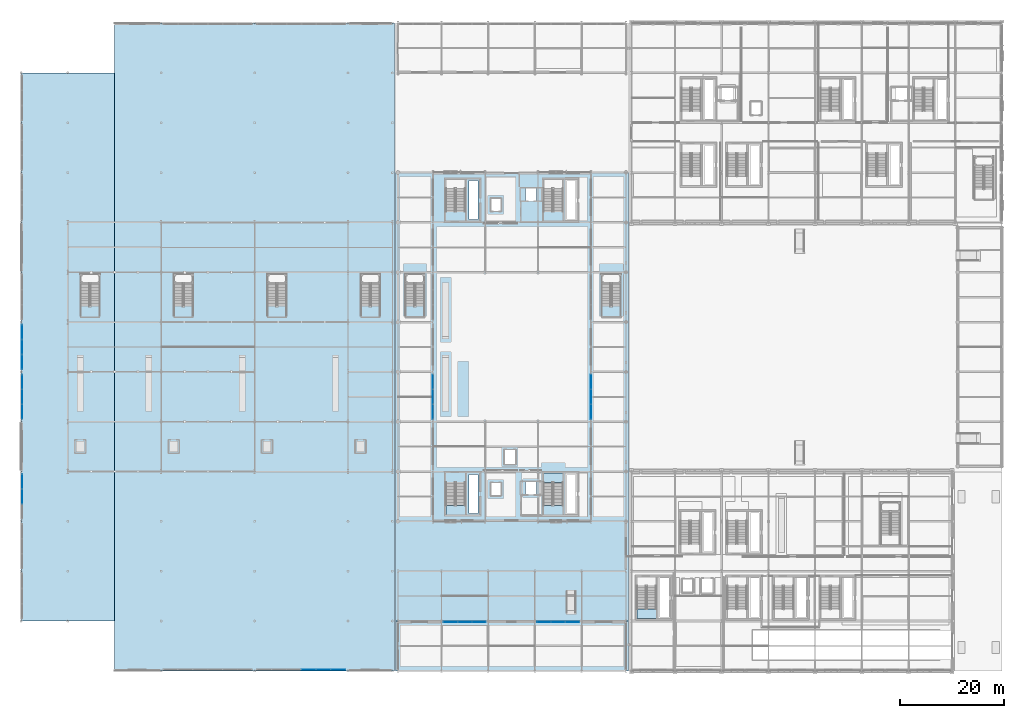
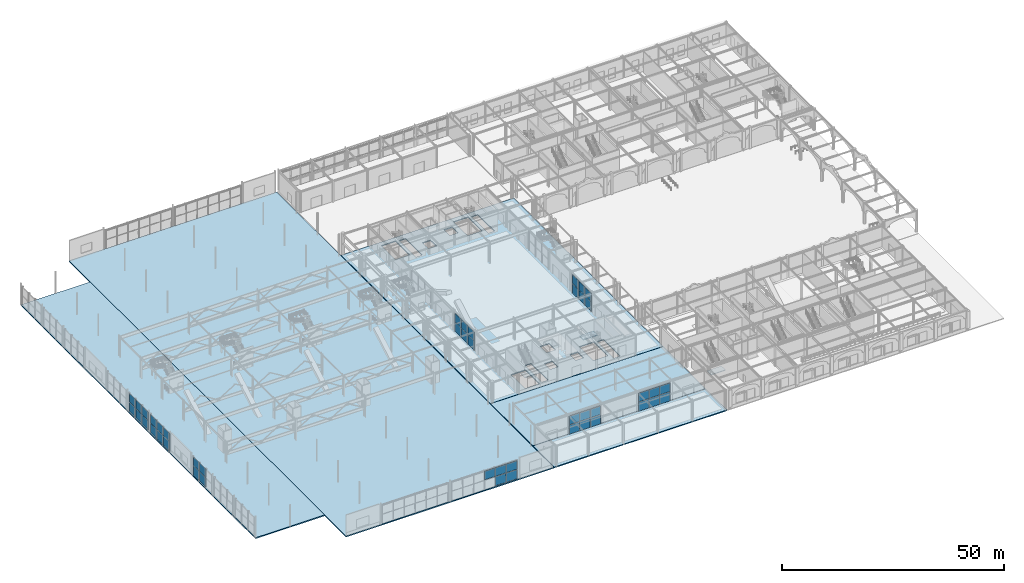
# One storey, part 48 of 113: 45 plates, 8 slabs, 11 elements without a shape of their own.
"""IFC4 building model written with IfcOpenShell, lengths in metres."""

from ifc_helpers import new_model, si_unit, direction, frame, origin, origin_2d, place, context, subcontext, project, spatial, polyline, rectangle, outline, extrude, material, layer, layer_set, type_object, element, aggregate, save


model = new_model("IFC4")

# Units and contexts
model_context = context("Model", 3, precision=1e-05, world=origin(), true_north=direction((0.0, 1.0)))
body_context = subcontext(model_context, "Body", "Model", "MODEL_VIEW")
ifc_project = project(units=[si_unit("LENGTHUNIT", "METRE"), si_unit("AREAUNIT", "SQUARE_METRE"), si_unit("VOLUMEUNIT", "CUBIC_METRE"), si_unit("PLANEANGLEUNIT", "RADIAN"), si_unit("MASSUNIT", "GRAM", prefix="KILO")], contexts=[model_context])

# Site, building, storey
site_placement = place(None, origin())
site = spatial("IfcSite", under=ifc_project, at=site_placement, CompositionType="ELEMENT")
building_placement = place(site_placement, origin())
building = spatial("IfcBuilding", under=site, at=building_placement, Name="Myrtia Square Station", CompositionType="ELEMENT")
storey_placement = place(building_placement, origin())
storey = spatial("IfcBuildingStorey", under=building, at=storey_placement, Name="L00", CompositionType="ELEMENT", Elevation=0.0)

# Curtain wall, plates
ifc_material_1 = material(Name="Dark bronze anodised aluminium", Category="aluminium")
ifc_layer_1 = layer(ifc_material_1, 0.159912109375, Name="Dark bronze anodised aluminium")
ifc_layer_set_1 = layer_set([ifc_layer_1], Name="Dark bronze anodised aluminium")
curtain_wall_type_1 = type_object("IfcCurtainWallType", Name="CW-TYPE-23-855x510", PredefinedType="USERDEFINED", material=ifc_layer_set_1)
curtain_wall_1_placement = place(storey_placement, origin())
curtain_wall_1 = element("IfcCurtainWall", 1, at=curtain_wall_1_placement, inside=storey, type_object=curtain_wall_type_1, Name="Concourse curtain wall CW-L00-088", ObjectType="CONCOURSE CURTAIN WALL", PredefinedType="USERDEFINED")
ifc_material_2 = material(Name="Tinted low-E solar control glass", Category="glass")
ifc_layer_2 = layer(ifc_material_2, 0.02392578125, Name="Tinted low-E solar control glass")
ifc_layer_set_2 = layer_set([ifc_layer_2], Name="Tinted low-E solar control glass")
plate_type_1 = type_object("IfcPlateType", Name="CWP-GLZ-24", PredefinedType="CURTAIN_PANEL", material=ifc_layer_set_2)
plate_1_placement = place(storey_placement, frame((55.43994140625, 0.199951171875, 2.68212890625), z_axis=(0.0, 0.0, 1.0), x_axis=(1.0, 0.0, 0.0)))
plate_1 = element("IfcPlate", 2, at=plate_1_placement, type_object=plate_type_1, Name="CW-088 panel 1.2", PredefinedType="CURTAIN_PANEL", context=body_context, shape_type="SweptSolid", body=[
    extrude(rectangle(XDim=2.760009765625, YDim=0.02392578125, at=origin_2d()), origin(), (0.0, 0.0, 1.0), 2.35791015625),
])
plate_2_placement = place(storey_placement, frame((58.27490234375, 0.199951171875, 0.06005859375), z_axis=(0.0, 0.0, 1.0), x_axis=(1.0, 0.0, 0.0)))
plate_2 = element("IfcPlate", 3, at=plate_2_placement, type_object=plate_type_1, Name="CW-088 panel 2.1", PredefinedType="CURTAIN_PANEL", context=body_context, shape_type="SweptSolid", body=[
    extrude(rectangle(XDim=2.7900390625, YDim=0.02392578125, at=origin_2d()), origin(), (0.0, 0.0, 1.0), 2.56201171875),
])
plate_3_placement = place(storey_placement, frame((58.27490234375, 0.199951171875, 2.68212890625), z_axis=(0.0, 0.0, 1.0), x_axis=(1.0, 0.0, 0.0)))
plate_3 = element("IfcPlate", 4, at=plate_3_placement, type_object=plate_type_1, Name="CW-088 panel 2.2", PredefinedType="CURTAIN_PANEL", context=body_context, shape_type="SweptSolid", body=[
    extrude(rectangle(XDim=2.7900390625, YDim=0.02392578125, at=origin_2d()), origin(), (0.0, 0.0, 1.0), 2.35791015625),
])
plate_4_placement = place(storey_placement, frame((61.110107421875, 0.199951171875, 0.06005859375), z_axis=(0.0, 0.0, 1.0), x_axis=(1.0, 0.0, 0.0)))
plate_4 = element("IfcPlate", 5, at=plate_4_placement, type_object=plate_type_1, Name="CW-088 panel 3.1", PredefinedType="CURTAIN_PANEL", context=body_context, shape_type="SweptSolid", body=[
    extrude(rectangle(XDim=2.760009765625, YDim=0.02392578125, at=origin_2d()), origin(), (0.0, 0.0, 1.0), 2.56201171875),
])
plate_5_placement = place(storey_placement, frame((61.110107421875, 0.199951171875, 2.68212890625), z_axis=(0.0, 0.0, 1.0), x_axis=(1.0, 0.0, 0.0)))
plate_5 = element("IfcPlate", 6, at=plate_5_placement, type_object=plate_type_1, Name="CW-088 panel 3.2", PredefinedType="CURTAIN_PANEL", context=body_context, shape_type="SweptSolid", body=[
    extrude(rectangle(XDim=2.760009765625, YDim=0.02392578125, at=origin_2d()), origin(), (0.0, 0.0, 1.0), 2.35791015625),
])
aggregate(curtain_wall_1, [plate_1, plate_2, plate_3, plate_4, plate_5])

ifc_layer_3 = layer(ifc_material_1, 0.159912109375, Name="Dark bronze anodised aluminium")
ifc_layer_set_3 = layer_set([ifc_layer_3], Name="Dark bronze anodised aluminium")
curtain_wall_type_2 = type_object("IfcCurtainWallType", Name="CW-TYPE-31-826x510", PredefinedType="USERDEFINED", material=ifc_layer_set_3)
curtain_wall_2_placement = place(storey_placement, origin())
curtain_wall_2 = element("IfcCurtainWall", 7, at=curtain_wall_2_placement, inside=storey, type_object=curtain_wall_type_2, Name="Concourse curtain wall CW-L00-104", ObjectType="CONCOURSE CURTAIN WALL", PredefinedType="USERDEFINED")
plate_6_placement = place(storey_placement, frame((82.76171875, 9.39990234375, 0.06005859375), z_axis=(0.0, 0.0, 1.0), x_axis=(1.0, 0.0, 0.0)))
plate_6 = element("IfcPlate", 8, at=plate_6_placement, type_object=plate_type_1, Name="CW-104 panel 1.1", PredefinedType="CURTAIN_PANEL", context=body_context, shape_type="SweptSolid", body=[
    extrude(rectangle(XDim=2.663330078125, YDim=0.02392578125, at=origin_2d()), origin(), (0.0, 0.0, 1.0), 2.56201171875),
])
plate_7_placement = place(storey_placement, frame((82.76171875, 9.39990234375, 2.68212890625), z_axis=(0.0, 0.0, 1.0), x_axis=(1.0, 0.0, 0.0)))
plate_7 = element("IfcPlate", 9, at=plate_7_placement, type_object=plate_type_1, Name="CW-104 panel 1.2", PredefinedType="CURTAIN_PANEL", context=body_context, shape_type="SweptSolid", body=[
    extrude(rectangle(XDim=2.663330078125, YDim=0.02392578125, at=origin_2d()), origin(), (0.0, 0.0, 1.0), 2.35791015625),
])
plate_8_placement = place(storey_placement, frame((85.5, 9.39990234375, 0.06005859375), z_axis=(0.0, 0.0, 1.0), x_axis=(1.0, 0.0, 0.0)))
plate_8 = element("IfcPlate", 10, at=plate_8_placement, type_object=plate_type_1, Name="CW-104 panel 2.1", PredefinedType="CURTAIN_PANEL", context=body_context, shape_type="SweptSolid", body=[
    extrude(rectangle(XDim=2.693359375, YDim=0.02392578125, at=origin_2d()), origin(), (0.0, 0.0, 1.0), 2.56201171875),
])
plate_9_placement = place(storey_placement, frame((85.5, 9.39990234375, 2.68212890625), z_axis=(0.0, 0.0, 1.0), x_axis=(1.0, 0.0, 0.0)))
plate_9 = element("IfcPlate", 11, at=plate_9_placement, type_object=plate_type_1, Name="CW-104 panel 2.2", PredefinedType="CURTAIN_PANEL", context=body_context, shape_type="SweptSolid", body=[
    extrude(rectangle(XDim=2.693359375, YDim=0.02392578125, at=origin_2d()), origin(), (0.0, 0.0, 1.0), 2.35791015625),
])
plate_10_placement = place(storey_placement, frame((88.23828125, 9.39990234375, 0.06005859375), z_axis=(0.0, 0.0, 1.0), x_axis=(1.0, 0.0, 0.0)))
plate_10 = element("IfcPlate", 12, at=plate_10_placement, type_object=plate_type_1, Name="CW-104 panel 3.1", PredefinedType="CURTAIN_PANEL", context=body_context, shape_type="SweptSolid", body=[
    extrude(rectangle(XDim=2.663330078125, YDim=0.02392578125, at=origin_2d()), origin(), (0.0, 0.0, 1.0), 2.56201171875),
])
plate_11_placement = place(storey_placement, frame((88.23828125, 9.39990234375, 2.68212890625), z_axis=(0.0, 0.0, 1.0), x_axis=(1.0, 0.0, 0.0)))
plate_11 = element("IfcPlate", 13, at=plate_11_placement, type_object=plate_type_1, Name="CW-104 panel 3.2", PredefinedType="CURTAIN_PANEL", context=body_context, shape_type="SweptSolid", body=[
    extrude(rectangle(XDim=2.663330078125, YDim=0.02392578125, at=origin_2d()), origin(), (0.0, 0.0, 1.0), 2.35791015625),
])
aggregate(curtain_wall_2, [plate_6, plate_7, plate_8, plate_9, plate_10, plate_11])

ifc_layer_4 = layer(ifc_material_1, 0.159912109375, Name="Dark bronze anodised aluminium")
ifc_layer_set_4 = layer_set([ifc_layer_4], Name="Dark bronze anodised aluminium")
curtain_wall_type_3 = type_object("IfcCurtainWallType", Name="CW-TYPE-01-870x519", PredefinedType="USERDEFINED", material=ifc_layer_set_4)
curtain_wall_3_placement = place(storey_placement, origin())
curtain_wall_3 = element("IfcCurtainWall", 14, at=curtain_wall_3_placement, inside=storey, type_object=curtain_wall_type_3, Name="Concourse curtain wall CW-L00-001", ObjectType="CONCOURSE CURTAIN WALL", PredefinedType="USERDEFINED")
ifc_layer_5 = layer(ifc_material_2, 0.028076171875, Name="Tinted low-E solar control glass")
ifc_layer_set_5 = layer_set([ifc_layer_5], Name="Tinted low-E solar control glass")
plate_type_2 = type_object("IfcPlateType", Name="CWP-GLZ-28", PredefinedType="CURTAIN_PANEL", material=ifc_layer_set_5)
plate_12_placement = place(storey_placement, frame((79.35009765625, 49.9150390625, 0.06005859375), z_axis=(0.0, 0.0, 1.0), x_axis=(0.0, 1.0, 0.0)))
plate_12 = element("IfcPlate", 15, at=plate_12_placement, type_object=plate_type_2, Name="CW-001 panel 1.1", PredefinedType="CURTAIN_PANEL", context=body_context, shape_type="SweptSolid", body=[
    extrude(rectangle(XDim=2.81005859375, YDim=0.028076171875, at=origin_2d()), origin(), (0.0, 0.0, 1.0), 2.60888671875),
])
plate_13_placement = place(storey_placement, frame((79.35009765625, 49.9150390625, 2.72900390625), z_axis=(0.0, 0.0, 1.0), x_axis=(0.0, 1.0, 0.0)))
plate_13 = element("IfcPlate", 16, at=plate_13_placement, type_object=plate_type_2, Name="CW-001 panel 1.2", PredefinedType="CURTAIN_PANEL", context=body_context, shape_type="SweptSolid", body=[
    extrude(rectangle(XDim=2.81005859375, YDim=0.028076171875, at=origin_2d()), origin(), (0.0, 0.0, 1.0), 2.40087890625),
])
plate_14_placement = place(storey_placement, frame((79.35009765625, 52.800048828125, 0.06005859375), z_axis=(0.0, 0.0, 1.0), x_axis=(0.0, 1.0, 0.0)))
plate_14 = element("IfcPlate", 17, at=plate_14_placement, type_object=plate_type_2, Name="CW-001 panel 2.1", PredefinedType="CURTAIN_PANEL", context=body_context, shape_type="SweptSolid", body=[
    extrude(rectangle(XDim=2.840087890625, YDim=0.028076171875, at=origin_2d()), origin(), (0.0, 0.0, 1.0), 2.60888671875),
])
plate_15_placement = place(storey_placement, frame((79.35009765625, 52.800048828125, 2.72900390625), z_axis=(0.0, 0.0, 1.0), x_axis=(0.0, 1.0, 0.0)))
plate_15 = element("IfcPlate", 18, at=plate_15_placement, type_object=plate_type_2, Name="CW-001 panel 2.2", PredefinedType="CURTAIN_PANEL", context=body_context, shape_type="SweptSolid", body=[
    extrude(rectangle(XDim=2.840087890625, YDim=0.028076171875, at=origin_2d()), origin(), (0.0, 0.0, 1.0), 2.40087890625),
])
plate_16_placement = place(storey_placement, frame((79.35009765625, 55.68505859375, 0.06005859375), z_axis=(0.0, 0.0, 1.0), x_axis=(0.0, 1.0, 0.0)))
plate_16 = element("IfcPlate", 19, at=plate_16_placement, type_object=plate_type_2, Name="CW-001 panel 3.1", PredefinedType="CURTAIN_PANEL", context=body_context, shape_type="SweptSolid", body=[
    extrude(rectangle(XDim=2.81005859375, YDim=0.028076171875, at=origin_2d()), origin(), (0.0, 0.0, 1.0), 2.60888671875),
])
plate_17_placement = place(storey_placement, frame((79.35009765625, 55.68505859375, 2.72900390625), z_axis=(0.0, 0.0, 1.0), x_axis=(0.0, 1.0, 0.0)))
plate_17 = element("IfcPlate", 20, at=plate_17_placement, type_object=plate_type_2, Name="CW-001 panel 3.2", PredefinedType="CURTAIN_PANEL", context=body_context, shape_type="SweptSolid", body=[
    extrude(rectangle(XDim=2.81005859375, YDim=0.028076171875, at=origin_2d()), origin(), (0.0, 0.0, 1.0), 2.40087890625),
])
aggregate(curtain_wall_3, [plate_12, plate_13, plate_14, plate_15, plate_16, plate_17])

ifc_layer_6 = layer(ifc_material_1, 0.159912109375, Name="Dark bronze anodised aluminium")
ifc_layer_set_6 = layer_set([ifc_layer_6], Name="Dark bronze anodised aluminium")
curtain_wall_type_4 = type_object("IfcCurtainWallType", Name="CW-TYPE-22-870x510", PredefinedType="USERDEFINED", material=ifc_layer_set_6)
curtain_wall_4_placement = place(storey_placement, origin())
curtain_wall_4 = element("IfcCurtainWall", 21, at=curtain_wall_4_placement, inside=storey, type_object=curtain_wall_type_4, Name="Concourse curtain wall CW-L00-075", ObjectType="CONCOURSE CURTAIN WALL", PredefinedType="USERDEFINED")
plate_18_placement = place(storey_placement, frame((0.199951171875, 33.60009765625, 0.074951171875), z_axis=(0.0, 0.0, 1.0), x_axis=(0.0, 1.0, 0.0)))
plate_18 = element("IfcPlate", 22, at=plate_18_placement, type_object=plate_type_2, Name="CW-075 panel 2.1", PredefinedType="CURTAIN_PANEL", context=body_context, shape_type="SweptSolid", body=[
    extrude(rectangle(XDim=2.824951171875, YDim=0.028076171875, at=origin_2d()), origin(), (0.0, 0.0, 1.0), 2.53955078125),
])
plate_19_placement = place(storey_placement, frame((0.199951171875, 33.60009765625, 2.689453125), z_axis=(0.0, 0.0, 1.0), x_axis=(0.0, 1.0, 0.0)))
plate_19 = element("IfcPlate", 23, at=plate_19_placement, type_object=plate_type_2, Name="CW-075 panel 2.2", PredefinedType="CURTAIN_PANEL", context=body_context, shape_type="SweptSolid", body=[
    extrude(rectangle(XDim=2.824951171875, YDim=0.028076171875, at=origin_2d()), origin(), (0.0, 0.0, 1.0), 2.33544921875),
])
plate_20_placement = place(storey_placement, frame((0.199951171875, 36.481201171875, 0.074951171875), z_axis=(0.0, 0.0, 1.0), x_axis=(0.0, 1.0, 0.0)))
plate_20 = element("IfcPlate", 24, at=plate_20_placement, type_object=plate_type_2, Name="CW-075 panel 3.1", PredefinedType="CURTAIN_PANEL", context=body_context, shape_type="SweptSolid", body=[
    extrude(rectangle(XDim=2.78759765625, YDim=0.028076171875, at=origin_2d()), origin(), (0.0, 0.0, 1.0), 2.53955078125),
])
plate_21_placement = place(storey_placement, frame((0.199951171875, 36.481201171875, 2.689453125), z_axis=(0.0, 0.0, 1.0), x_axis=(0.0, 1.0, 0.0)))
plate_21 = element("IfcPlate", 25, at=plate_21_placement, type_object=plate_type_2, Name="CW-075 panel 3.2", PredefinedType="CURTAIN_PANEL", context=body_context, shape_type="SweptSolid", body=[
    extrude(rectangle(XDim=2.78759765625, YDim=0.028076171875, at=origin_2d()), origin(), (0.0, 0.0, 1.0), 2.33544921875),
])
aggregate(curtain_wall_4, [plate_18, plate_19, plate_20, plate_21])

curtain_wall_5_placement = place(storey_placement, origin())
curtain_wall_5 = element("IfcCurtainWall", 26, at=curtain_wall_5_placement, inside=storey, type_object=curtain_wall_type_2, Name="Concourse curtain wall CW-L00-109", ObjectType="CONCOURSE CURTAIN WALL", PredefinedType="USERDEFINED")
plate_22_placement = place(storey_placement, frame((100.76171875, 9.39990234375, 0.06005859375), z_axis=(0.0, 0.0, 1.0), x_axis=(1.0, 0.0, 0.0)))
plate_22 = element("IfcPlate", 27, at=plate_22_placement, type_object=plate_type_2, Name="CW-109 panel 1.1", PredefinedType="CURTAIN_PANEL", context=body_context, shape_type="SweptSolid", body=[
    extrude(rectangle(XDim=2.663330078125, YDim=0.028076171875, at=origin_2d()), origin(), (0.0, 0.0, 1.0), 2.56201171875),
])
plate_23_placement = place(storey_placement, frame((100.76171875, 9.39990234375, 2.68212890625), z_axis=(0.0, 0.0, 1.0), x_axis=(1.0, 0.0, 0.0)))
plate_23 = element("IfcPlate", 28, at=plate_23_placement, type_object=plate_type_2, Name="CW-109 panel 1.2", PredefinedType="CURTAIN_PANEL", context=body_context, shape_type="SweptSolid", body=[
    extrude(rectangle(XDim=2.663330078125, YDim=0.028076171875, at=origin_2d()), origin(), (0.0, 0.0, 1.0), 2.35791015625),
])
plate_24_placement = place(storey_placement, frame((103.5, 9.39990234375, 0.06005859375), z_axis=(0.0, 0.0, 1.0), x_axis=(1.0, 0.0, 0.0)))
plate_24 = element("IfcPlate", 29, at=plate_24_placement, type_object=plate_type_2, Name="CW-109 panel 2.1", PredefinedType="CURTAIN_PANEL", context=body_context, shape_type="SweptSolid", body=[
    extrude(rectangle(XDim=2.693359375, YDim=0.028076171875, at=origin_2d()), origin(), (0.0, 0.0, 1.0), 2.56201171875),
])
plate_25_placement = place(storey_placement, frame((103.5, 9.39990234375, 2.68212890625), z_axis=(0.0, 0.0, 1.0), x_axis=(1.0, 0.0, 0.0)))
plate_25 = element("IfcPlate", 30, at=plate_25_placement, type_object=plate_type_2, Name="CW-109 panel 2.2", PredefinedType="CURTAIN_PANEL", context=body_context, shape_type="SweptSolid", body=[
    extrude(rectangle(XDim=2.693359375, YDim=0.028076171875, at=origin_2d()), origin(), (0.0, 0.0, 1.0), 2.35791015625),
])
plate_26_placement = place(storey_placement, frame((106.23828125, 9.39990234375, 0.06005859375), z_axis=(0.0, 0.0, 1.0), x_axis=(1.0, 0.0, 0.0)))
plate_26 = element("IfcPlate", 31, at=plate_26_placement, type_object=plate_type_2, Name="CW-109 panel 3.1", PredefinedType="CURTAIN_PANEL", context=body_context, shape_type="SweptSolid", body=[
    extrude(rectangle(XDim=2.663330078125, YDim=0.028076171875, at=origin_2d()), origin(), (0.0, 0.0, 1.0), 2.56201171875),
])
plate_27_placement = place(storey_placement, frame((106.23828125, 9.39990234375, 2.68212890625), z_axis=(0.0, 0.0, 1.0), x_axis=(1.0, 0.0, 0.0)))
plate_27 = element("IfcPlate", 32, at=plate_27_placement, type_object=plate_type_2, Name="CW-109 panel 3.2", PredefinedType="CURTAIN_PANEL", context=body_context, shape_type="SweptSolid", body=[
    extrude(rectangle(XDim=2.663330078125, YDim=0.028076171875, at=origin_2d()), origin(), (0.0, 0.0, 1.0), 2.35791015625),
])
aggregate(curtain_wall_5, [plate_22, plate_23, plate_24, plate_25, plate_26, plate_27])

curtain_wall_6_placement = place(storey_placement, origin())
curtain_wall_6 = element("IfcCurtainWall", 33, at=curtain_wall_6_placement, inside=storey, type_object=curtain_wall_type_4, Name="Concourse curtain wall CW-L00-076", ObjectType="CONCOURSE CURTAIN WALL", PredefinedType="USERDEFINED")
ifc_layer_7 = layer(ifc_material_2, 0.031982421875, Name="Tinted low-E solar control glass")
ifc_layer_set_7 = layer_set([ifc_layer_7], Name="Tinted low-E solar control glass")
plate_type_3 = type_object("IfcPlateType", Name="CWP-GLZ-32", PredefinedType="CURTAIN_PANEL", material=ifc_layer_set_7)
plate_28_placement = place(storey_placement, frame((0.199951171875, 49.918701171875, 0.074951171875), z_axis=(0.0, 0.0, 1.0), x_axis=(0.0, 1.0, 0.0)))
plate_28 = element("IfcPlate", 34, at=plate_28_placement, type_object=plate_type_3, Name="CW-076 panel 1.1", PredefinedType="CURTAIN_PANEL", context=body_context, shape_type="SweptSolid", body=[
    extrude(rectangle(XDim=2.78759765625, YDim=0.031982421875, at=origin_2d()), origin(), (0.0, 0.0, 1.0), 2.53955078125),
])
plate_29_placement = place(storey_placement, frame((0.199951171875, 49.918701171875, 2.689453125), z_axis=(0.0, 0.0, 1.0), x_axis=(0.0, 1.0, 0.0)))
plate_29 = element("IfcPlate", 35, at=plate_29_placement, type_object=plate_type_3, Name="CW-076 panel 1.2", PredefinedType="CURTAIN_PANEL", context=body_context, shape_type="SweptSolid", body=[
    extrude(rectangle(XDim=2.78759765625, YDim=0.031982421875, at=origin_2d()), origin(), (0.0, 0.0, 1.0), 2.33544921875),
])
plate_30_placement = place(storey_placement, frame((0.199951171875, 52.800048828125, 0.074951171875), z_axis=(0.0, 0.0, 1.0), x_axis=(0.0, 1.0, 0.0)))
plate_30 = element("IfcPlate", 36, at=plate_30_placement, type_object=plate_type_3, Name="CW-076 panel 2.1", PredefinedType="CURTAIN_PANEL", context=body_context, shape_type="SweptSolid", body=[
    extrude(rectangle(XDim=2.824951171875, YDim=0.031982421875, at=origin_2d()), origin(), (0.0, 0.0, 1.0), 2.53955078125),
])
plate_31_placement = place(storey_placement, frame((0.199951171875, 52.800048828125, 2.689453125), z_axis=(0.0, 0.0, 1.0), x_axis=(0.0, 1.0, 0.0)))
plate_31 = element("IfcPlate", 37, at=plate_31_placement, type_object=plate_type_3, Name="CW-076 panel 2.2", PredefinedType="CURTAIN_PANEL", context=body_context, shape_type="SweptSolid", body=[
    extrude(rectangle(XDim=2.824951171875, YDim=0.031982421875, at=origin_2d()), origin(), (0.0, 0.0, 1.0), 2.33544921875),
])
plate_32_placement = place(storey_placement, frame((0.199951171875, 55.68115234375, 0.074951171875), z_axis=(0.0, 0.0, 1.0), x_axis=(0.0, 1.0, 0.0)))
plate_32 = element("IfcPlate", 38, at=plate_32_placement, type_object=plate_type_3, Name="CW-076 panel 3.1", PredefinedType="CURTAIN_PANEL", context=body_context, shape_type="SweptSolid", body=[
    extrude(rectangle(XDim=2.78759765625, YDim=0.031982421875, at=origin_2d()), origin(), (0.0, 0.0, 1.0), 2.53955078125),
])
plate_33_placement = place(storey_placement, frame((0.199951171875, 55.68115234375, 2.689453125), z_axis=(0.0, 0.0, 1.0), x_axis=(0.0, 1.0, 0.0)))
plate_33 = element("IfcPlate", 39, at=plate_33_placement, type_object=plate_type_3, Name="CW-076 panel 3.2", PredefinedType="CURTAIN_PANEL", context=body_context, shape_type="SweptSolid", body=[
    extrude(rectangle(XDim=2.78759765625, YDim=0.031982421875, at=origin_2d()), origin(), (0.0, 0.0, 1.0), 2.33544921875),
])
aggregate(curtain_wall_6, [plate_28, plate_29, plate_30, plate_31, plate_32, plate_33])

ifc_layer_8 = layer(ifc_material_1, 0.159912109375, Name="Dark bronze anodised aluminium")
ifc_layer_set_8 = layer_set([ifc_layer_8], Name="Dark bronze anodised aluminium")
curtain_wall_type_5 = type_object("IfcCurtainWallType", Name="CW-TYPE-02-870x519", PredefinedType="USERDEFINED", material=ifc_layer_set_8)
curtain_wall_7_placement = place(storey_placement, origin())
curtain_wall_7 = element("IfcCurtainWall", 40, at=curtain_wall_7_placement, inside=storey, type_object=curtain_wall_type_5, Name="Concourse curtain wall CW-L00-002", ObjectType="CONCOURSE CURTAIN WALL", PredefinedType="USERDEFINED")
ifc_layer_9 = layer(ifc_material_2, 0.035888671875, Name="Tinted low-E solar control glass")
ifc_layer_set_9 = layer_set([ifc_layer_9], Name="Tinted low-E solar control glass")
plate_type_4 = type_object("IfcPlateType", Name="CWP-GLZ-36", PredefinedType="CURTAIN_PANEL", material=ifc_layer_set_9)
plate_34_placement = place(storey_placement, frame((109.800048828125, 49.916259765625, 0.06494140625), z_axis=(0.0, 0.0, 1.0), x_axis=(0.0, 1.0, 0.0)))
plate_34 = element("IfcPlate", 41, at=plate_34_placement, type_object=plate_type_4, Name="CW-002 panel 1.1", PredefinedType="CURTAIN_PANEL", context=body_context, shape_type="SweptSolid", body=[
    extrude(rectangle(XDim=2.802490234375, YDim=0.035888671875, at=origin_2d()), origin(), (0.0, 0.0, 1.0), 2.6015625),
])
plate_35_placement = place(storey_placement, frame((109.800048828125, 49.916259765625, 2.7314453125), z_axis=(0.0, 0.0, 1.0), x_axis=(0.0, 1.0, 0.0)))
plate_35 = element("IfcPlate", 42, at=plate_35_placement, type_object=plate_type_4, Name="CW-002 panel 1.2", PredefinedType="CURTAIN_PANEL", context=body_context, shape_type="SweptSolid", body=[
    extrude(rectangle(XDim=2.802490234375, YDim=0.035888671875, at=origin_2d()), origin(), (0.0, 0.0, 1.0), 2.3935546875),
])
plate_36_placement = place(storey_placement, frame((109.800048828125, 52.800048828125, 0.06494140625), z_axis=(0.0, 0.0, 1.0), x_axis=(0.0, 1.0, 0.0)))
plate_36 = element("IfcPlate", 43, at=plate_36_placement, type_object=plate_type_4, Name="CW-002 panel 2.1", PredefinedType="CURTAIN_PANEL", context=body_context, shape_type="SweptSolid", body=[
    extrude(rectangle(XDim=2.8349609375, YDim=0.035888671875, at=origin_2d()), origin(), (0.0, 0.0, 1.0), 2.6015625),
])
plate_37_placement = place(storey_placement, frame((109.800048828125, 52.800048828125, 2.7314453125), z_axis=(0.0, 0.0, 1.0), x_axis=(0.0, 1.0, 0.0)))
plate_37 = element("IfcPlate", 44, at=plate_37_placement, type_object=plate_type_4, Name="CW-002 panel 2.2", PredefinedType="CURTAIN_PANEL", context=body_context, shape_type="SweptSolid", body=[
    extrude(rectangle(XDim=2.8349609375, YDim=0.035888671875, at=origin_2d()), origin(), (0.0, 0.0, 1.0), 2.3935546875),
])
plate_38_placement = place(storey_placement, frame((109.800048828125, 55.683837890625, 0.06494140625), z_axis=(0.0, 0.0, 1.0), x_axis=(0.0, 1.0, 0.0)))
plate_38 = element("IfcPlate", 45, at=plate_38_placement, type_object=plate_type_4, Name="CW-002 panel 3.1", PredefinedType="CURTAIN_PANEL", context=body_context, shape_type="SweptSolid", body=[
    extrude(rectangle(XDim=2.802490234375, YDim=0.035888671875, at=origin_2d()), origin(), (0.0, 0.0, 1.0), 2.6015625),
])
plate_39_placement = place(storey_placement, frame((109.800048828125, 55.683837890625, 2.7314453125), z_axis=(0.0, 0.0, 1.0), x_axis=(0.0, 1.0, 0.0)))
plate_39 = element("IfcPlate", 46, at=plate_39_placement, type_object=plate_type_4, Name="CW-002 panel 3.2", PredefinedType="CURTAIN_PANEL", context=body_context, shape_type="SweptSolid", body=[
    extrude(rectangle(XDim=2.802490234375, YDim=0.035888671875, at=origin_2d()), origin(), (0.0, 0.0, 1.0), 2.3935546875),
])
aggregate(curtain_wall_7, [plate_34, plate_35, plate_36, plate_37, plate_38, plate_39])

curtain_wall_8_placement = place(storey_placement, origin())
curtain_wall_8 = element("IfcCurtainWall", 47, at=curtain_wall_8_placement, inside=storey, type_object=curtain_wall_type_4, Name="Concourse curtain wall CW-L00-077", ObjectType="CONCOURSE CURTAIN WALL", PredefinedType="USERDEFINED")
plate_40_placement = place(storey_placement, frame((0.199951171875, 59.518798828125, 0.074951171875), z_axis=(0.0, 0.0, 1.0), x_axis=(0.0, 1.0, 0.0)))
plate_40 = element("IfcPlate", 48, at=plate_40_placement, type_object=plate_type_4, Name="CW-077 panel 1.1", PredefinedType="CURTAIN_PANEL", context=body_context, shape_type="SweptSolid", body=[
    extrude(rectangle(XDim=2.78759765625, YDim=0.035888671875, at=origin_2d()), origin(), (0.0, 0.0, 1.0), 2.53955078125),
])
plate_41_placement = place(storey_placement, frame((0.199951171875, 59.518798828125, 2.689453125), z_axis=(0.0, 0.0, 1.0), x_axis=(0.0, 1.0, 0.0)))
plate_41 = element("IfcPlate", 49, at=plate_41_placement, type_object=plate_type_4, Name="CW-077 panel 1.2", PredefinedType="CURTAIN_PANEL", context=body_context, shape_type="SweptSolid", body=[
    extrude(rectangle(XDim=2.78759765625, YDim=0.035888671875, at=origin_2d()), origin(), (0.0, 0.0, 1.0), 2.33544921875),
])
plate_42_placement = place(storey_placement, frame((0.199951171875, 62.39990234375, 0.074951171875), z_axis=(0.0, 0.0, 1.0), x_axis=(0.0, 1.0, 0.0)))
plate_42 = element("IfcPlate", 50, at=plate_42_placement, type_object=plate_type_4, Name="CW-077 panel 2.1", PredefinedType="CURTAIN_PANEL", context=body_context, shape_type="SweptSolid", body=[
    extrude(rectangle(XDim=2.824951171875, YDim=0.035888671875, at=origin_2d()), origin(), (0.0, 0.0, 1.0), 2.53955078125),
])
plate_43_placement = place(storey_placement, frame((0.199951171875, 62.39990234375, 2.689453125), z_axis=(0.0, 0.0, 1.0), x_axis=(0.0, 1.0, 0.0)))
plate_43 = element("IfcPlate", 51, at=plate_43_placement, type_object=plate_type_4, Name="CW-077 panel 2.2", PredefinedType="CURTAIN_PANEL", context=body_context, shape_type="SweptSolid", body=[
    extrude(rectangle(XDim=2.824951171875, YDim=0.035888671875, at=origin_2d()), origin(), (0.0, 0.0, 1.0), 2.33544921875),
])
plate_44_placement = place(storey_placement, frame((0.199951171875, 65.28125, 0.074951171875), z_axis=(0.0, 0.0, 1.0), x_axis=(0.0, 1.0, 0.0)))
plate_44 = element("IfcPlate", 52, at=plate_44_placement, type_object=plate_type_4, Name="CW-077 panel 3.1", PredefinedType="CURTAIN_PANEL", context=body_context, shape_type="SweptSolid", body=[
    extrude(rectangle(XDim=2.78759765625, YDim=0.035888671875, at=origin_2d()), origin(), (0.0, 0.0, 1.0), 2.53955078125),
])
plate_45_placement = place(storey_placement, frame((0.199951171875, 65.28125, 2.689453125), z_axis=(0.0, 0.0, 1.0), x_axis=(0.0, 1.0, 0.0)))
plate_45 = element("IfcPlate", 53, at=plate_45_placement, type_object=plate_type_4, Name="CW-077 panel 3.2", PredefinedType="CURTAIN_PANEL", context=body_context, shape_type="SweptSolid", body=[
    extrude(rectangle(XDim=2.78759765625, YDim=0.035888671875, at=origin_2d()), origin(), (0.0, 0.0, 1.0), 2.33544921875),
])
aggregate(curtain_wall_8, [plate_40, plate_41, plate_42, plate_43, plate_44, plate_45])

# Slabs
ifc_material_3 = material(Name="Concrete C35/45", Category="concrete")
ifc_layer_10 = layer(ifc_material_3, 0.280029296875, Name="Concrete C35/45")
ifc_layer_set_10 = layer_set([ifc_layer_10], Name="Concrete C35/45")
slab_type_1 = type_object("IfcSlabType", Name="SLB-CONC-280", PredefinedType="FLOOR", material=ifc_layer_set_10)
slab_1_placement = place(storey_placement, frame((0.0, 0.0, -0.280029296875)))
element("IfcSlab", 54, at=slab_1_placement, inside=storey, type_object=slab_type_1, Name="Structural floor slab SLB-L00-V2", PredefinedType="FLOOR", context=body_context, shape_type="SweptSolid", body=[
    extrude(outline(polyline([(72.14990234375, 28.800048828125), (117.0, 28.800048828125), (117.0, 96.0), (72.14990234375, 96.0), (72.14990234375, 28.800048828125)]), holes=[polyline([(86.35009765625, 30.35009765625), (86.35009765625, 37.85009765625), (88.0, 37.85009765625), (88.0, 30.35009765625), (86.35009765625, 30.35009765625)]), polyline([(86.35009765625, 86.949951171875), (86.35009765625, 94.449951171875), (88.0, 94.449951171875), (88.0, 86.949951171875), (86.35009765625, 86.949951171875)]), polyline([(105.14990234375, 30.35009765625), (105.14990234375, 37.85009765625), (106.800048828125, 37.85009765625), (106.800048828125, 30.35009765625), (105.14990234375, 30.35009765625)]), polyline([(105.14990234375, 86.949951171875), (105.14990234375, 94.449951171875), (106.800048828125, 94.449951171875), (106.800048828125, 86.949951171875), (105.14990234375, 86.949951171875)]), polyline([(81.85009765625, 30.050048828125), (81.85009765625, 36.320068359375), (85.610107421875, 36.320068359375), (85.610107421875, 30.050048828125), (81.85009765625, 30.050048828125)]), polyline([(81.85009765625, 88.47998046875), (81.85009765625, 94.75), (85.610107421875, 94.75), (85.610107421875, 88.47998046875), (81.85009765625, 88.47998046875)]), polyline([(100.64990234375, 31.8798828125), (100.64990234375, 38.14990234375), (104.409912109375, 38.14990234375), (104.409912109375, 31.8798828125), (100.64990234375, 31.8798828125)]), polyline([(100.64990234375, 88.47998046875), (100.64990234375, 94.75), (104.409912109375, 94.75), (104.409912109375, 88.47998046875), (100.64990234375, 88.47998046875)]), polyline([(90.449951171875, 33.699951171875), (90.449951171875, 36.300048828125), (92.550048828125, 36.300048828125), (92.550048828125, 33.699951171875), (90.449951171875, 33.699951171875)]), polyline([(90.449951171875, 88.5), (90.449951171875, 91.10009765625), (92.550048828125, 91.10009765625), (92.550048828125, 88.5), (90.449951171875, 88.5)]), polyline([(97.199951171875, 33.889892578125), (97.199951171875, 36.489990234375), (99.300048828125, 36.489990234375), (99.300048828125, 33.889892578125), (97.199951171875, 33.889892578125)]), polyline([(97.199951171875, 90.489990234375), (97.199951171875, 93.090087890625), (99.300048828125, 93.090087890625), (99.300048828125, 90.489990234375), (97.199951171875, 90.489990234375)]), polyline([(93.050048828125, 39.75), (93.050048828125, 42.64990234375), (95.35009765625, 42.64990234375), (95.35009765625, 39.75), (93.050048828125, 39.75)])]), origin(), (0.0, 0.0, 1.0), 0.280029296875),
])
ifc_layer_11 = layer(ifc_material_3, 0.260009765625, Name="Concrete C35/45")
ifc_layer_set_11 = layer_set([ifc_layer_11], Name="Concrete C35/45")
slab_type_2 = type_object("IfcSlabType", Name="SLB-FLR-260", PredefinedType="FLOOR", material=ifc_layer_set_11)
slab_2_placement = place(storey_placement, frame((0.0, 0.0, -0.260009765625)))
element("IfcSlab", 55, at=slab_2_placement, inside=storey, type_object=slab_type_2, Name="Structural floor slab SLB-L00-V4W", PredefinedType="FLOOR", context=body_context, shape_type="SweptSolid", body=[
    extrude(outline(polyline([(72.14990234375, 0.0), (117.0, 0.0), (117.0, 9.60009765625), (72.14990234375, 9.60009765625), (72.14990234375, 0.0)])), origin(), (0.0, 0.0, 1.0), 0.260009765625),
])

# Stair, slab
stair_type = type_object("IfcStairType", Name="STR-02-34R-1800W", PredefinedType="HALF_TURN_STAIR", material=ifc_material_3)
stair_1_placement = place(storey_placement, origin())
stair_1 = element("IfcStair", 56, at=stair_1_placement, inside=storey, type_object=stair_type, Name="L00 Core escape stair ST01", PredefinedType="HALF_TURN_STAIR")
ifc_layer_12 = layer(ifc_material_3, 0.199951171875, Name="Concrete C35/45")
ifc_layer_set_12 = layer_set([ifc_layer_12], Name="Concrete C35/45")
slab_type_3 = type_object("IfcSlabType", Name="SLB-LAND-200", PredefinedType="LANDING", material=ifc_layer_set_12)
slab_3_placement = place(storey_placement, frame((0.0, 0.0, 2.800048828125)))
slab_3 = element("IfcSlab", 57, at=slab_3_placement, type_object=slab_type_3, Name="ST01 landing 1", PredefinedType="LANDING", context=body_context, shape_type="SweptSolid", body=[
    extrude(outline(polyline([(81.85009765625, 31.8701171875), (81.85009765625, 30.050048828125), (85.610107421875, 30.050048828125), (85.610107421875, 31.8701171875), (81.85009765625, 31.8701171875)])), origin(), (0.0, 0.0, 1.0), 0.199951171875),
])
aggregate(stair_1, [slab_3])

stair_2_placement = place(storey_placement, origin())
stair_2 = element("IfcStair", 58, at=stair_2_placement, inside=storey, type_object=stair_type, Name="L00 Core escape stair ST03", PredefinedType="HALF_TURN_STAIR")
slab_4_placement = place(storey_placement, frame((0.0, 0.0, 2.800048828125)))
slab_4 = element("IfcSlab", 59, at=slab_4_placement, type_object=slab_type_3, Name="ST03 landing 1", PredefinedType="LANDING", context=body_context, shape_type="SweptSolid", body=[
    extrude(outline(polyline([(104.409912109375, 36.330078125), (104.409912109375, 38.14990234375), (100.64990234375, 38.14990234375), (100.64990234375, 36.330078125), (104.409912109375, 36.330078125)])), origin(), (0.0, 0.0, 1.0), 0.199951171875),
])
aggregate(stair_2, [slab_4])

stair_3_placement = place(storey_placement, origin())
stair_3 = element("IfcStair", 60, at=stair_3_placement, inside=storey, type_object=stair_type, Name="L00 Core escape stair ST05", PredefinedType="HALF_TURN_STAIR")
slab_5_placement = place(storey_placement, frame((0.0, 0.0, 2.800048828125)))
slab_5 = element("IfcSlab", 61, at=slab_5_placement, type_object=slab_type_3, Name="ST05 landing 1", PredefinedType="LANDING", context=body_context, shape_type="SweptSolid", body=[
    extrude(outline(polyline([(118.64990234375, 11.8701171875), (118.64990234375, 10.050048828125), (122.409912109375, 10.050048828125), (122.409912109375, 11.8701171875), (118.64990234375, 11.8701171875)])), origin(), (0.0, 0.0, 1.0), 0.199951171875),
])
aggregate(stair_3, [slab_5])

# Slabs
ifc_layer_13 = layer(ifc_material_3, 0.2451171875, Name="Concrete C35/45")
ifc_layer_set_13 = layer_set([ifc_layer_13], Name="Concrete C35/45")
slab_type_4 = type_object("IfcSlabType", Name="SLB-PAV-190", PredefinedType="FLOOR", material=ifc_layer_set_13)
slab_6_placement = place(storey_placement, frame((0.0, 0.0, -0.2451171875)))
element("IfcSlab", 62, at=slab_6_placement, inside=storey, type_object=slab_type_4, Name="Citrus Patio courtyard paving", PredefinedType="FLOOR", context=body_context, shape_type="SweptSolid", body=[
    extrude(outline(polyline([(72.14990234375, 9.64990234375), (117.0, 9.64990234375), (117.0, 28.75), (72.14990234375, 28.75), (72.14990234375, 9.64990234375)])), origin(), (0.0, 0.0, 1.0), 0.2451171875),
])
ifc_layer_14 = layer(ifc_material_3, 0.300048828125, Name="Concrete C35/45")
ifc_layer_set_14 = layer_set([ifc_layer_14], Name="Concrete C35/45")
slab_type_5 = type_object("IfcSlabType", Name="SLB-PLAT-300", PredefinedType="FLOOR", material=ifc_layer_set_14)
slab_7_placement = place(storey_placement, frame((0.0, 0.0, -0.300048828125)))
element("IfcSlab", 63, at=slab_7_placement, inside=storey, type_object=slab_type_5, Name="Structural floor slab SLB-L00-V1W", PredefinedType="FLOOR", context=body_context, shape_type="SweptSolid", body=[
    extrude(outline(polyline([(0.0, 9.60009765625), (18.0, 9.60009765625), (18.0, 115.199951171875), (0.0, 115.199951171875), (0.0, 9.60009765625)])), origin(), (0.0, 0.0, 1.0), 0.300048828125),
])
slab_8_placement = place(storey_placement, frame((0.0, 0.0, -0.300048828125)))
element("IfcSlab", 64, at=slab_8_placement, inside=storey, type_object=slab_type_5, Name="Structural floor slab SLB-L00-V1E", PredefinedType="FLOOR", context=body_context, shape_type="SweptSolid", body=[
    extrude(outline(polyline([(18.0, 0.0), (72.0, 0.0), (72.0, 124.800048828125), (18.0, 124.800048828125), (18.0, 0.0)])), origin(), (0.0, 0.0, 1.0), 0.300048828125),
])

save(model, "model.ifc")
